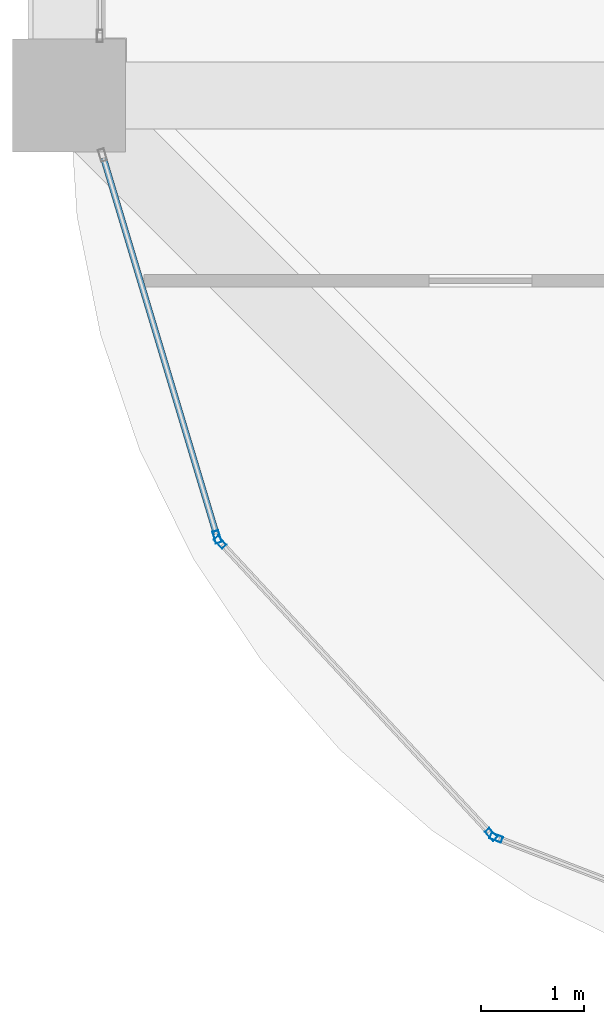
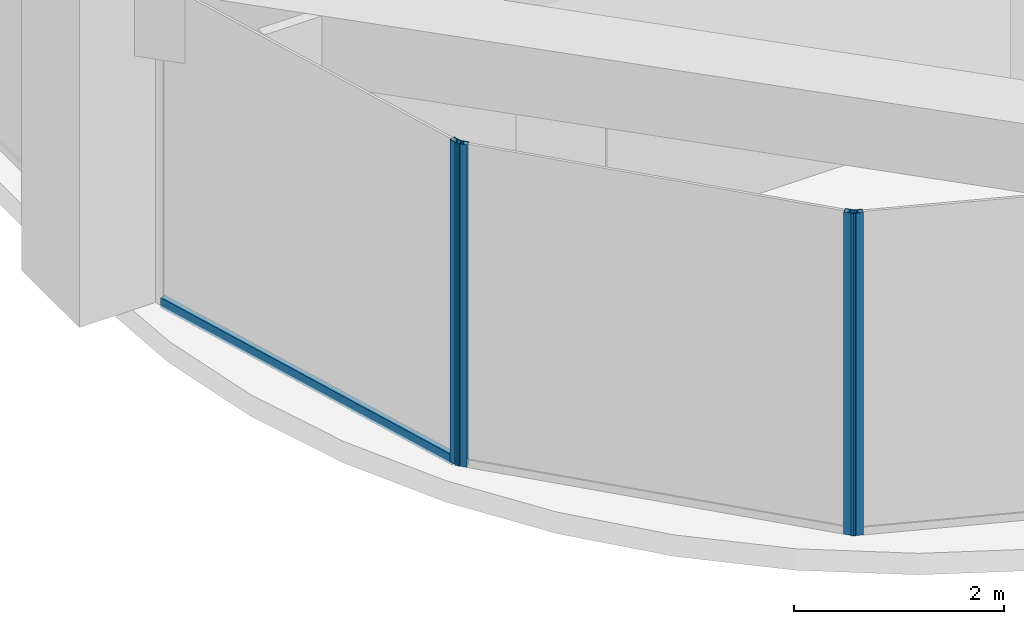
# One storey, part 2 of 45: 5 members, 3 elements without a shape of their own.
"""IFC4 building model written with IfcOpenShell, lengths in metres."""

from ifc_helpers import new_model, si_unit, direction, frame, origin, origin_2d, place, context, subcontext, project, spatial, hollow_rectangle, extrude, material, material_profile, profile_set, type_object, element, aggregate, save


model = new_model("IFC4")

# Units and contexts
model_context = context("Model", 3, precision=1e-05, world=origin(), true_north=direction((0.0, 1.0)))
body_context = subcontext(model_context, "Body", "Model", "MODEL_VIEW")
ifc_project = project(units=[si_unit("LENGTHUNIT", "METRE"), si_unit("AREAUNIT", "SQUARE_METRE"), si_unit("VOLUMEUNIT", "CUBIC_METRE"), si_unit("PLANEANGLEUNIT", "RADIAN"), si_unit("MASSUNIT", "GRAM", prefix="KILO")], contexts=[model_context])

# Site, building, storey
site_placement = place(None, origin())
site = spatial("IfcSite", under=ifc_project, at=site_placement, CompositionType="ELEMENT")
building_placement = place(site_placement, origin())
building = spatial("IfcBuilding", under=site, at=building_placement, Name="Zorevar Civic Tower", CompositionType="ELEMENT")
storey_placement = place(building_placement, frame((0.0, 0.0, 247.39990234375)))
storey = spatial("IfcBuildingStorey", under=building, at=storey_placement, Name="L60", CompositionType="ELEMENT", Elevation=247.39990234375)

# Curtain wall, member
ifc_material_1 = material(Name="Dark grey solar-control glass in black aluminium frame", Category="aluminium")
curtain_wall_type = type_object("IfcCurtainWallType", Name="Curtain wall CW5 top zone", PredefinedType="NOTDEFINED", material=ifc_material_1)
curtain_wall_1_placement = place(storey_placement, origin())
curtain_wall_1 = element("IfcCurtainWall", 1, at=curtain_wall_1_placement, inside=storey, type_object=curtain_wall_type, Name="CW5 L60", PredefinedType="NOTDEFINED")
ifc_material_2 = material(Name="Aluminium, black anodised", Category="aluminium")
ifc_material_profile_1 = material_profile(ifc_material_2, hollow_rectangle(XDim=0.06005859375, YDim=0.1201171875, WallThickness=0.0029296875, at=origin_2d()), Name="AL 120x60x3")
ifc_profile_set_1 = profile_set([ifc_material_profile_1], Name="Aluminium, black anodised")
member_type_1 = type_object("IfcMemberType", Name="CW5 mullion AL 120x60x3", PredefinedType="MULLION", material=ifc_profile_set_1)
member_1_placement = place(storey_placement, frame((10.43994140625, 4.70849609375, 0.0), z_axis=(0.0, 0.0, 1.0), x_axis=(0.95782550907, 0.287350472723, 0.0)))
member_1 = element("IfcMember", 2, at=member_1_placement, type_object=member_type_1, Name="CW5 mullion 2", PredefinedType="MULLION", context=body_context, shape_type="SweptSolid", body=[
    extrude(hollow_rectangle(XDim=0.06005859375, YDim=0.1201171875, WallThickness=0.0029296875, at=origin_2d()), origin(), (0.0, 0.0, 1.0), 3.75),
])

# Curtain wall, members
curtain_wall_2_placement = place(storey_placement, origin())
curtain_wall_2 = element("IfcCurtainWall", 3, at=curtain_wall_2_placement, inside=storey, type_object=curtain_wall_type, Name="CW5 L60", PredefinedType="NOTDEFINED")
member_2_placement = place(storey_placement, frame((10.468994140625, 4.657958984375, 0.0), z_axis=(0.0, 0.0, 1.0), x_axis=(0.733164425234, 0.680051413917, 0.0)))
member_2 = element("IfcMember", 4, at=member_2_placement, type_object=member_type_1, Name="CW5 mullion 1", PredefinedType="MULLION", context=body_context, shape_type="SweptSolid", body=[
    extrude(hollow_rectangle(XDim=0.06005859375, YDim=0.1201171875, WallThickness=0.0029296875, at=origin_2d()), origin(), (0.0, 0.0, 1.0), 3.75),
])
member_3_placement = place(storey_placement, frame((13.10498046875, 1.81591796875, 0.0), z_axis=(0.0, 0.0, 1.0), x_axis=(0.733164425234, 0.680051413917, 0.0)))
member_3 = element("IfcMember", 5, at=member_3_placement, type_object=member_type_1, Name="CW5 mullion 2", PredefinedType="MULLION", context=body_context, shape_type="SweptSolid", body=[
    extrude(hollow_rectangle(XDim=0.06005859375, YDim=0.1201171875, WallThickness=0.0029296875, at=origin_2d()), origin(), (0.0, 0.0, 1.0), 3.75),
])
aggregate(curtain_wall_2, [member_2, member_3])

# Curtain wall, member
curtain_wall_3_placement = place(storey_placement, origin())
curtain_wall_3 = element("IfcCurtainWall", 6, at=curtain_wall_3_placement, inside=storey, type_object=curtain_wall_type, Name="CW5 L60", PredefinedType="NOTDEFINED")
member_4_placement = place(storey_placement, frame((13.1533203125, 1.783203125, 0.0), z_axis=(0.0, 0.0, 1.0), x_axis=(0.358412771707, 0.933563219647, 0.0)))
member_4 = element("IfcMember", 7, at=member_4_placement, type_object=member_type_1, Name="CW5 mullion 1", PredefinedType="MULLION", context=body_context, shape_type="SweptSolid", body=[
    extrude(hollow_rectangle(XDim=0.06005859375, YDim=0.1201171875, WallThickness=0.0029296875, at=origin_2d()), origin(), (0.0, 0.0, 1.0), 3.75),
])
aggregate(curtain_wall_3, [member_4])

# Member
ifc_material_3 = material(Name="Aluminium, black anodised", Category="aluminium")
ifc_material_profile_2 = material_profile(ifc_material_3, hollow_rectangle(XDim=0.06005859375, YDim=0.1201171875, WallThickness=0.0029296875, at=origin_2d()), Name="AL 120x60x3")
ifc_profile_set_2 = profile_set([ifc_material_profile_2], Name="Aluminium, black anodised")
member_type_2 = type_object("IfcMemberType", Name="CW5 transom AL 120x60x3", PredefinedType="USERDEFINED", material=ifc_profile_set_2)
member_5_placement = place(storey_placement, frame((9.334716796875, 8.392578125, 0.030029296875), z_axis=(0.28737136219, -0.95781924192, 0.0), x_axis=(0.95781924192, 0.28737136219, 0.0)))
member_5 = element("IfcMember", 8, at=member_5_placement, type_object=member_type_2, Name="CW5 sill transom", ObjectType="TRANSOM", PredefinedType="USERDEFINED", context=body_context, shape_type="SweptSolid", body=[
    extrude(hollow_rectangle(XDim=0.06005859375, YDim=0.1201171875, WallThickness=0.0029296875, at=origin_2d()), origin(), (0.0, 0.0, 1.0), 3.816162109375),
])

aggregate(curtain_wall_1, [member_1, member_5])

save(model, "model.ifc")
